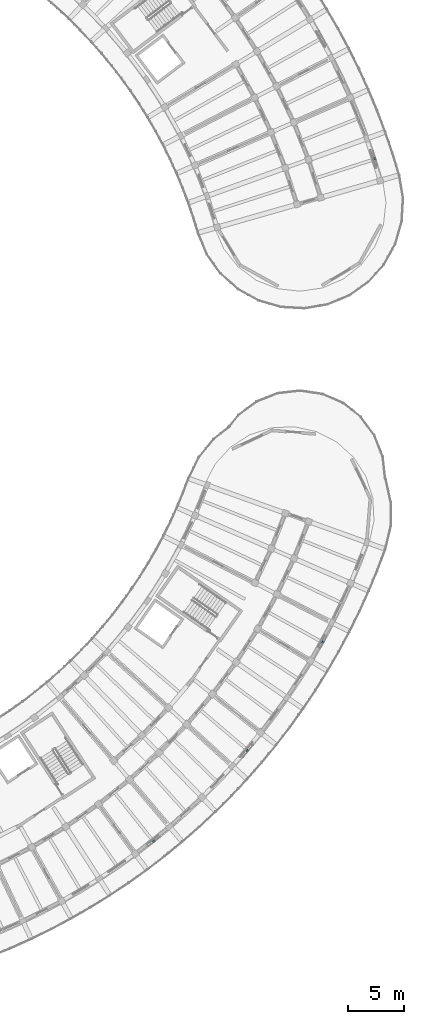
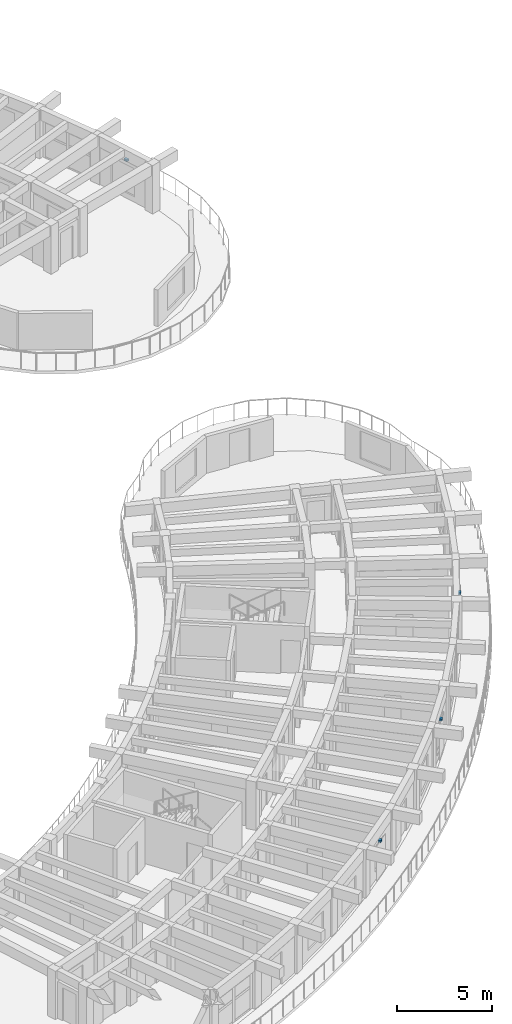
# One storey, part 63 of 81: 4 discrete accessories.
"""IFC4 building model written with IfcOpenShell, lengths in metres."""

from ifc_helpers import new_model, si_unit, direction, frame, origin, origin_2d, place, context, subcontext, project, spatial, rectangle, extrude, material, type_object, element, save


model = new_model("IFC4")

# Units and contexts
model_context = context("Model", 3, precision=1e-05, world=origin(), true_north=direction((0.0, 1.0)))
body_context = subcontext(model_context, "Body", "Model", "MODEL_VIEW")
ifc_project = project(units=[si_unit("LENGTHUNIT", "METRE"), si_unit("AREAUNIT", "SQUARE_METRE"), si_unit("VOLUMEUNIT", "CUBIC_METRE"), si_unit("PLANEANGLEUNIT", "RADIAN"), si_unit("MASSUNIT", "GRAM", prefix="KILO")], contexts=[model_context])

# Site, building, storey
site_placement = place(None, origin())
site = spatial("IfcSite", under=ifc_project, at=site_placement, CompositionType="ELEMENT")
building_placement = place(site_placement, origin())
building = spatial("IfcBuilding", under=site, at=building_placement, Name="Tanwirah Colonnade Gardens", CompositionType="ELEMENT")
storey_placement = place(building_placement, frame((0.0, 0.0, 18.919921875)))
storey = spatial("IfcBuildingStorey", under=building, at=storey_placement, Name="L05", CompositionType="ELEMENT", Elevation=18.919921875)

# Discrete accessories
ifc_material = material(Name="Steel S355", Category="steel")
discrete_accessory_type = type_object("IfcDiscreteAccessoryType", Name="BRK-SS1", PredefinedType="BRACKET", material=ifc_material)
for number, where, z_axis, x_axis, name in (
    (1, (177.788818359375, 78.57470703125, 2.14990234375), (0.0, 0.0, 1.0), (-0.307171739363, 0.951654098156, 0.0), "Solar screen support bracket B-L05-00"),
    (2, (158.090087890625, 17.734619140625, 2.14990234375), (0.0, 0.0, 1.0), (0.783964634348, 0.620805486519, 0.0), "Solar screen support bracket D-L05-06"),
    (3, (166.442626953125, 25.800537109375, 2.14990234375), (0.0, 0.0, 1.0), (0.647787018861, 0.761821487092, 0.0), "Solar screen support bracket D-L05-09"),
    (4, (173.1630859375, 35.488037109375, 2.034912109375), (0.0, 0.0, 1.0), (0.486717384336, 0.873559492985, 0.0), "Solar screen support bracket D-L05-12"),
):
    element("IfcDiscreteAccessory", number, at=place(storey_placement, frame(where, z_axis=z_axis, x_axis=x_axis)), inside=storey, type_object=discrete_accessory_type, Name=name, PredefinedType="BRACKET", context=body_context, shape_type="SweptSolid", body=[
        extrude(rectangle(XDim=0.219970703125, YDim=0.159912109375, at=origin_2d()), origin(), (0.0, 0.0, 1.0), 0.1201171875),
    ])

save(model, "model.ifc")
